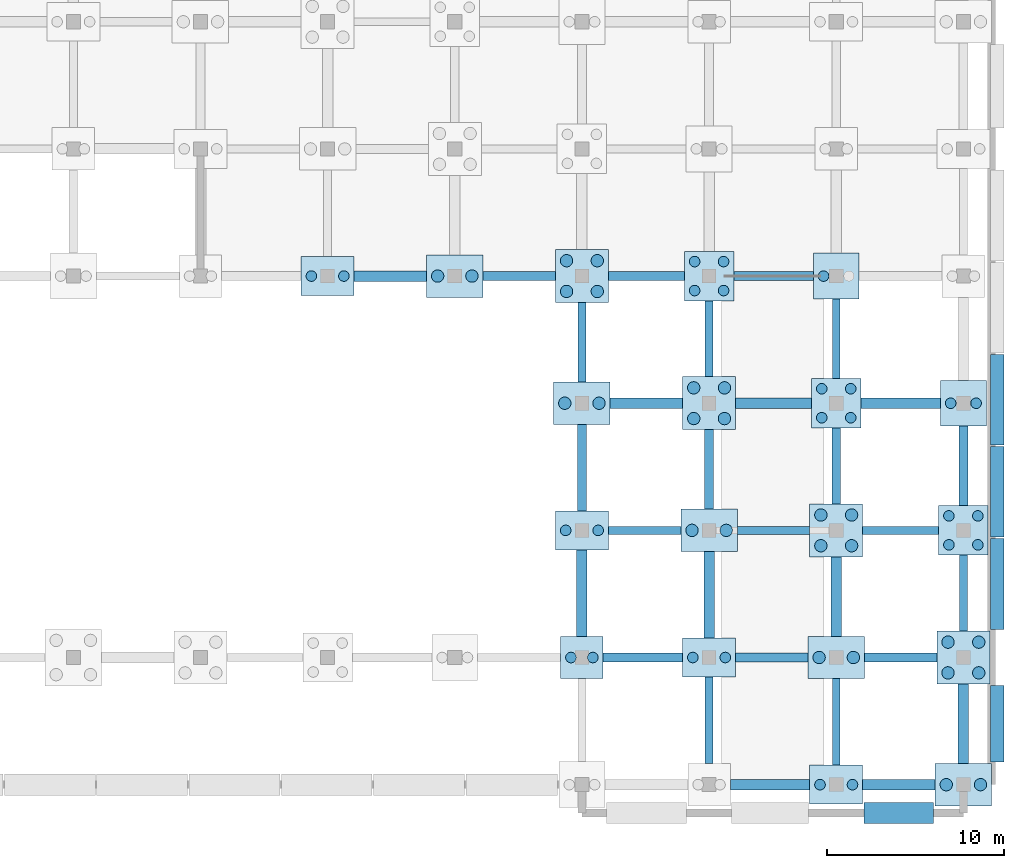
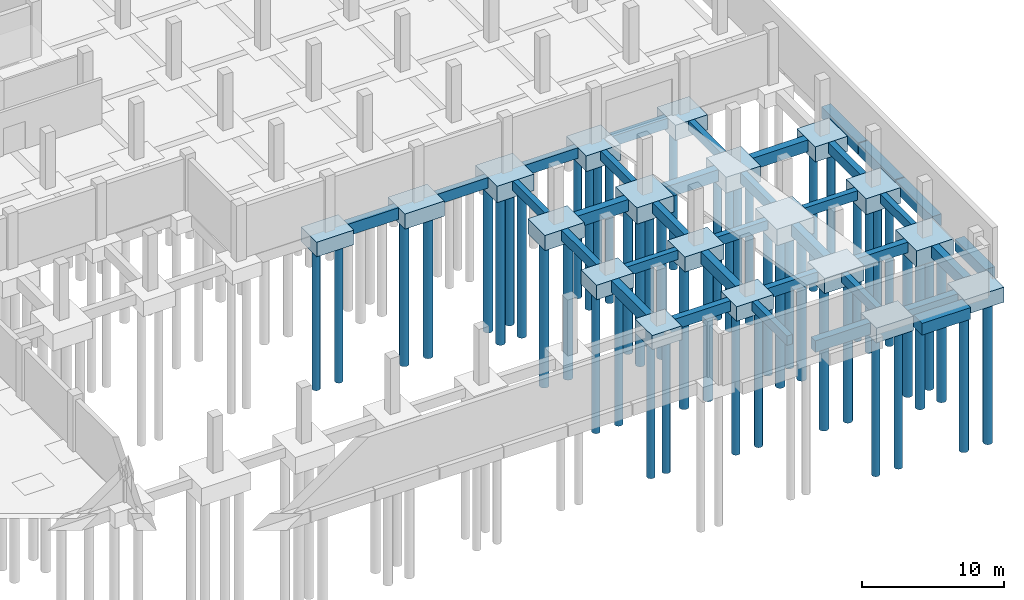
# One storey, part 11 of 38: 53 footings, 51 piles.
"""IFC4 building model written with IfcOpenShell, lengths in metres."""

from ifc_helpers import new_model, si_unit, direction, frame, origin, origin_2d, place, context, subcontext, project, spatial, rectangle, circle, extrude, material, material_profile, profile_set, type_object, element, save


model = new_model("IFC4")

# Units and contexts
model_context = context("Model", 3, precision=1e-05, world=origin(), true_north=direction((0.0, 1.0)))
body_context = subcontext(model_context, "Body", "Model", "MODEL_VIEW")
ifc_project = project(units=[si_unit("LENGTHUNIT", "METRE"), si_unit("AREAUNIT", "SQUARE_METRE"), si_unit("VOLUMEUNIT", "CUBIC_METRE"), si_unit("PLANEANGLEUNIT", "RADIAN"), si_unit("MASSUNIT", "GRAM", prefix="KILO")], contexts=[model_context])

# Site, building, storey
site_placement = place(None, origin())
site = spatial("IfcSite", under=ifc_project, at=site_placement, CompositionType="ELEMENT")
building_placement = place(site_placement, origin())
building = spatial("IfcBuilding", under=site, at=building_placement, Name="Valkovuoma Quantum and Materials Research Institute", CompositionType="ELEMENT")
storey_placement = place(building_placement, frame((0.0, 0.0, -4.800048828125)))
storey = spatial("IfcBuildingStorey", under=building, at=storey_placement, Name="B1", CompositionType="ELEMENT", Elevation=-4.800048828125)

# Footings
ifc_material_1 = material(Name="Concrete C35/45", Category="concrete")
footing_type_1 = type_object("IfcFootingType", Name="Cap-PC-03", PredefinedType="PILE_CAP", material=ifc_material_1)
footing_1_placement = place(storey_placement, frame((144.0, 7.199951171875, -1.19970703125), z_axis=(0.0, 0.0, 1.0), x_axis=(1.0, 0.0, 0.0)))
element("IfcFooting", 1, at=footing_1_placement, inside=storey, type_object=footing_type_1, Name="B1 pile cap 21B", PredefinedType="PILE_CAP", context=body_context, shape_type="SweptSolid", body=[
    extrude(rectangle(XDim=2.39990234375, YDim=2.39990234375, at=origin_2d()), origin(), (0.0, 0.0, 1.0), 1.199951171875),
])
ifc_material_2 = material(Name="Concrete C35/45", Category="concrete")
footing_type_2 = type_object("IfcFootingType", Name="Cap-PC-04", PredefinedType="PILE_CAP", material=ifc_material_2)
for number, where, z_axis, x_axis, name in (
    (2, (158.39990234375, 28.800048828125, -1.2998046875), (0.0, 0.0, 1.0), (1.0, 0.0, 0.0), "B1 pile cap 23E"),
    (3, (165.60009765625, 21.60009765625, -1.2998046875), (0.0, 0.0, 1.0), (1.0, 0.0, 0.0), "B1 pile cap 24D"),
):
    element("IfcFooting", number, at=place(storey_placement, frame(where, z_axis=z_axis, x_axis=x_axis)), inside=storey, type_object=footing_type_2, Name=name, PredefinedType="PILE_CAP", context=body_context, shape_type="SweptSolid", body=[
        extrude(rectangle(XDim=2.60009765625, YDim=2.60009765625, at=origin_2d()), origin(), (0.0, 0.0, 1.0), 1.300048828125),
    ])
ifc_material_3 = material(Name="Concrete C35/45", Category="concrete")
footing_type_3 = type_object("IfcFootingType", Name="Cap-PC-05", PredefinedType="PILE_CAP", material=ifc_material_3)
for number, where, z_axis, x_axis, name in (
    (4, (151.199951171875, 28.800048828125, -1.35009765625), (0.0, 0.0, 1.0), (1.0, 0.0, 0.0), "B1 pile cap 22E"),
    (5, (158.39990234375, 21.60009765625, -1.35009765625), (0.0, 0.0, 1.0), (1.0, 0.0, 0.0), "B1 pile cap 23D"),
    (6, (165.60009765625, 14.39990234375, -1.35009765625), (0.0, 0.0, 1.0), (1.0, 0.0, 0.0), "B1 pile cap 24C"),
):
    element("IfcFooting", number, at=place(storey_placement, frame(where, z_axis=z_axis, x_axis=x_axis)), inside=storey, type_object=footing_type_3, Name=name, PredefinedType="PILE_CAP", context=body_context, shape_type="SweptSolid", body=[
        extrude(rectangle(XDim=2.800048828125, YDim=2.800048828125, at=origin_2d()), origin(), (0.0, 0.0, 1.0), 1.35009765625),
    ])
ifc_material_4 = material(Name="Concrete C35/45", Category="concrete")
footing_type_4 = type_object("IfcFootingType", Name="Cap-PC-06", PredefinedType="PILE_CAP", material=ifc_material_4)
for number, where, z_axis, x_axis, name in (
    (7, (144.0, 28.800048828125, -1.39990234375), (0.0, 0.0, 1.0), (1.0, 0.0, 0.0), "B1 pile cap 21E"),
    (8, (151.199951171875, 21.60009765625, -1.39990234375), (0.0, 0.0, 1.0), (1.0, 0.0, 0.0), "B1 pile cap 22D"),
    (9, (158.39990234375, 14.39990234375, -1.39990234375), (0.0, 0.0, 1.0), (1.0, 0.0, 0.0), "B1 pile cap 23C"),
    (10, (165.60009765625, 7.199951171875, -1.39990234375), (0.0, 0.0, 1.0), (1.0, 0.0, 0.0), "B1 pile cap 24B"),
):
    element("IfcFooting", number, at=place(storey_placement, frame(where, z_axis=z_axis, x_axis=x_axis)), inside=storey, type_object=footing_type_4, Name=name, PredefinedType="PILE_CAP", context=body_context, shape_type="SweptSolid", body=[
        extrude(rectangle(XDim=3.0, YDim=3.0, at=origin_2d()), origin(), (0.0, 0.0, 1.0), 1.39990234375),
    ])
ifc_material_5 = material(Name="Concrete C35/45", Category="concrete")
footing_type_5 = type_object("IfcFootingType", Name="Cap-PC-11", PredefinedType="PILE_CAP", material=ifc_material_5)
for number, where, z_axis, x_axis, name in (
    (11, (129.60009765625, 28.800048828125, -1.25), (0.0, 0.0, 1.0), (1.0, 0.0, 0.0), "B1 pile cap 19E"),
    (12, (144.0, 14.39990234375, -1.25), (0.0, 0.0, 1.0), (1.0, 0.0, 0.0), "B1 pile cap 21C"),
    (13, (151.199951171875, 7.199951171875, -1.25), (0.0, 0.0, 1.0), (1.0, 0.0, 0.0), "B1 pile cap 22B"),
    (14, (158.39990234375, 0.0, -1.25), (0.0, 0.0, 1.0), (1.0, 0.0, 0.0), "B1 pile cap 23A"),
):
    element("IfcFooting", number, at=place(storey_placement, frame(where, z_axis=z_axis, x_axis=x_axis)), inside=storey, type_object=footing_type_5, Name=name, PredefinedType="PILE_CAP", context=body_context, shape_type="SweptSolid", body=[
        extrude(rectangle(XDim=3.0, YDim=2.199951171875, at=origin_2d()), origin(), (0.0, 0.0, 1.0), 1.25),
    ])
ifc_material_6 = material(Name="Concrete C35/45", Category="concrete")
footing_type_6 = type_object("IfcFootingType", Name="Cap-PC-12", PredefinedType="PILE_CAP", material=ifc_material_6)
for number, where, z_axis, x_axis, name in (
    (15, (136.800048828125, 28.800048828125, -1.2998046875), (0.0, 0.0, 1.0), (1.0, 0.0, 0.0), "B1 pile cap 20E"),
    (16, (144.0, 21.60009765625, -1.2998046875), (0.0, 0.0, 1.0), (1.0, 0.0, 0.0), "B1 pile cap 21D"),
    (17, (151.199951171875, 14.39990234375, -1.2998046875), (0.0, 0.0, 1.0), (1.0, 0.0, 0.0), "B1 pile cap 22C"),
    (18, (158.39990234375, 7.199951171875, -1.2998046875), (0.0, 0.0, 1.0), (1.0, 0.0, 0.0), "B1 pile cap 23B"),
    (19, (165.60009765625, 0.0, -1.2998046875), (0.0, 0.0, 1.0), (1.0, 0.0, 0.0), "B1 pile cap 24A"),
):
    element("IfcFooting", number, at=place(storey_placement, frame(where, z_axis=z_axis, x_axis=x_axis)), inside=storey, type_object=footing_type_6, Name=name, PredefinedType="PILE_CAP", context=body_context, shape_type="SweptSolid", body=[
        extrude(rectangle(XDim=3.199951171875, YDim=2.39990234375, at=origin_2d()), origin(), (0.0, 0.0, 1.0), 1.300048828125),
    ])
ifc_material_7 = material(Name="Concrete C35/45", Category="concrete")
footing_type_7 = type_object("IfcFootingType", Name="GndBeam-FB-01", PredefinedType="FOOTING_BEAM", material=ifc_material_7)
footing_2_placement = place(storey_placement, frame((147.550048828125, 14.39990234375, -0.7998046875), z_axis=(0.0, 0.0, 1.0), x_axis=(1.0, 0.0, 0.0)))
element("IfcFooting", 20, at=footing_2_placement, inside=storey, type_object=footing_type_7, Name="B1 ground tie beam X-336", PredefinedType="FOOTING_BEAM", context=body_context, shape_type="SweptSolid", body=[
    extrude(rectangle(XDim=4.10009765625, YDim=0.449951171875, at=origin_2d()), origin(), (0.0, 0.0, 1.0), 0.800048828125),
])
footing_3_placement = place(storey_placement, frame((144.0, 25.050048828125, -0.7998046875), z_axis=(0.0, 0.0, 1.0), x_axis=(0.0, 1.0, 0.0)))
element("IfcFooting", 21, at=footing_3_placement, inside=storey, type_object=footing_type_7, Name="B1 ground tie beam Y-339", PredefinedType="FOOTING_BEAM", context=body_context, shape_type="SweptSolid", body=[
    extrude(rectangle(XDim=4.5, YDim=0.449951171875, at=origin_2d()), origin(), (0.0, 0.0, 1.0), 0.800048828125),
])
footing_4_placement = place(storey_placement, frame((151.199951171875, 3.64990234375, -0.7998046875), z_axis=(0.0, 0.0, 1.0), x_axis=(0.0, 1.0, 0.0)))
element("IfcFooting", 22, at=footing_4_placement, inside=storey, type_object=footing_type_7, Name="B1 ground tie beam Y-366", PredefinedType="FOOTING_BEAM", context=body_context, shape_type="SweptSolid", body=[
    extrude(rectangle(XDim=4.89990234375, YDim=0.449951171875, at=origin_2d()), origin(), (0.0, 0.0, 1.0), 0.800048828125),
])
footing_5_placement = place(storey_placement, frame((154.85009765625, 14.39990234375, -0.7998046875), z_axis=(0.0, 0.0, 1.0), x_axis=(1.0, 0.0, 0.0)))
element("IfcFooting", 23, at=footing_5_placement, inside=storey, type_object=footing_type_7, Name="B1 ground tie beam X-369", PredefinedType="FOOTING_BEAM", context=body_context, shape_type="SweptSolid", body=[
    extrude(rectangle(XDim=4.10009765625, YDim=0.449951171875, at=origin_2d()), origin(), (0.0, 0.0, 1.0), 0.800048828125),
])
footing_6_placement = place(storey_placement, frame((151.199951171875, 25.25, -0.7998046875), z_axis=(0.0, 0.0, 1.0), x_axis=(0.0, 1.0, 0.0)))
element("IfcFooting", 24, at=footing_6_placement, inside=storey, type_object=footing_type_7, Name="B1 ground tie beam Y-372", PredefinedType="FOOTING_BEAM", context=body_context, shape_type="SweptSolid", body=[
    extrude(rectangle(XDim=4.300048828125, YDim=0.449951171875, at=origin_2d()), origin(), (0.0, 0.0, 1.0), 0.800048828125),
])
footing_7_placement = place(storey_placement, frame((158.39990234375, 3.550048828125, -0.7998046875), z_axis=(0.0, 0.0, 1.0), x_axis=(0.0, 1.0, 0.0)))
element("IfcFooting", 25, at=footing_7_placement, inside=storey, type_object=footing_type_7, Name="B1 ground tie beam Y-399", PredefinedType="FOOTING_BEAM", context=body_context, shape_type="SweptSolid", body=[
    extrude(rectangle(XDim=4.89990234375, YDim=0.449951171875, at=origin_2d()), origin(), (0.0, 0.0, 1.0), 0.800048828125),
])
footing_8_placement = place(storey_placement, frame((162.050048828125, 14.39990234375, -0.7998046875), z_axis=(0.0, 0.0, 1.0), x_axis=(1.0, 0.0, 0.0)))
element("IfcFooting", 26, at=footing_8_placement, inside=storey, type_object=footing_type_7, Name="B1 ground tie beam X-402", PredefinedType="FOOTING_BEAM", context=body_context, shape_type="SweptSolid", body=[
    extrude(rectangle(XDim=4.300048828125, YDim=0.449951171875, at=origin_2d()), origin(), (0.0, 0.0, 1.0), 0.800048828125),
])
footing_9_placement = place(storey_placement, frame((158.39990234375, 25.25, -0.7998046875), z_axis=(0.0, 0.0, 1.0), x_axis=(0.0, 1.0, 0.0)))
element("IfcFooting", 27, at=footing_9_placement, inside=storey, type_object=footing_type_7, Name="B1 ground tie beam Y-405", PredefinedType="FOOTING_BEAM", context=body_context, shape_type="SweptSolid", body=[
    extrude(rectangle(XDim=4.5, YDim=0.449951171875, at=origin_2d()), origin(), (0.0, 0.0, 1.0), 0.800048828125),
])
footing_10_placement = place(storey_placement, frame((165.60009765625, 10.85009765625, -0.7998046875), z_axis=(0.0, 0.0, 1.0), x_axis=(0.0, 1.0, 0.0)))
element("IfcFooting", 28, at=footing_10_placement, inside=storey, type_object=footing_type_7, Name="B1 ground tie beam Y-432", PredefinedType="FOOTING_BEAM", context=body_context, shape_type="SweptSolid", body=[
    extrude(rectangle(XDim=4.300048828125, YDim=0.449951171875, at=origin_2d()), origin(), (0.0, 0.0, 1.0), 0.800048828125),
])
ifc_material_8 = material(Name="Concrete C35/45", Category="concrete")
footing_type_8 = type_object("IfcFootingType", Name="GndBeam-FB-02", PredefinedType="FOOTING_BEAM", material=ifc_material_8)
footing_11_placement = place(storey_placement, frame((140.449951171875, 28.800048828125, -0.89990234375), z_axis=(0.0, 0.0, 1.0), x_axis=(1.0, 0.0, 0.0)))
element("IfcFooting", 29, at=footing_11_placement, inside=storey, type_object=footing_type_8, Name="B1 ground tie beam X-307", PredefinedType="FOOTING_BEAM", context=body_context, shape_type="SweptSolid", body=[
    extrude(rectangle(XDim=4.10009765625, YDim=0.5, at=origin_2d()), origin(), (0.0, 0.0, 1.0), 0.89990234375),
])
footing_12_placement = place(storey_placement, frame((147.449951171875, 7.199951171875, -0.89990234375), z_axis=(0.0, 0.0, 1.0), x_axis=(1.0, 0.0, 0.0)))
element("IfcFooting", 30, at=footing_12_placement, inside=storey, type_object=footing_type_8, Name="B1 ground tie beam X-334", PredefinedType="FOOTING_BEAM", context=body_context, shape_type="SweptSolid", body=[
    extrude(rectangle(XDim=4.5, YDim=0.5, at=origin_2d()), origin(), (0.0, 0.0, 1.0), 0.89990234375),
])
footing_13_placement = place(storey_placement, frame((144.0, 17.949951171875, -0.89990234375), z_axis=(0.0, 0.0, 1.0), x_axis=(0.0, 1.0, 0.0)))
element("IfcFooting", 31, at=footing_13_placement, inside=storey, type_object=footing_type_8, Name="B1 ground tie beam Y-337", PredefinedType="FOOTING_BEAM", context=body_context, shape_type="SweptSolid", body=[
    extrude(rectangle(XDim=4.89990234375, YDim=0.5, at=origin_2d()), origin(), (0.0, 0.0, 1.0), 0.89990234375),
])
footing_14_placement = place(storey_placement, frame((147.64990234375, 28.800048828125, -0.89990234375), z_axis=(0.0, 0.0, 1.0), x_axis=(1.0, 0.0, 0.0)))
element("IfcFooting", 32, at=footing_14_placement, inside=storey, type_object=footing_type_8, Name="B1 ground tie beam X-340", PredefinedType="FOOTING_BEAM", context=body_context, shape_type="SweptSolid", body=[
    extrude(rectangle(XDim=4.300048828125, YDim=0.5, at=origin_2d()), origin(), (0.0, 0.0, 1.0), 0.89990234375),
])
footing_15_placement = place(storey_placement, frame((154.75, 7.199951171875, -0.89990234375), z_axis=(0.0, 0.0, 1.0), x_axis=(1.0, 0.0, 0.0)))
element("IfcFooting", 33, at=footing_15_placement, inside=storey, type_object=footing_type_8, Name="B1 ground tie beam X-367", PredefinedType="FOOTING_BEAM", context=body_context, shape_type="SweptSolid", body=[
    extrude(rectangle(XDim=4.10009765625, YDim=0.5, at=origin_2d()), origin(), (0.0, 0.0, 1.0), 0.89990234375),
])
for number, where, z_axis, x_axis, name in (
    (34, (151.199951171875, 17.85009765625, -0.89990234375), (0.0, 0.0, 1.0), (0.0, 1.0, 0.0), "B1 ground tie beam Y-370"),
    (35, (154.85009765625, 28.800048828125, -0.89990234375), (0.0, 0.0, 1.0), (1.0, 0.0, 0.0), "B1 ground tie beam X-373"),
):
    element("IfcFooting", number, at=place(storey_placement, frame(where, z_axis=z_axis, x_axis=x_axis)), inside=storey, type_object=footing_type_8, Name=name, PredefinedType="FOOTING_BEAM", context=body_context, shape_type="SweptSolid", body=[
        extrude(rectangle(XDim=4.5, YDim=0.5, at=origin_2d()), origin(), (0.0, 0.0, 1.0), 0.89990234375),
    ])
footing_16_placement = place(storey_placement, frame((162.050048828125, 7.199951171875, -0.89990234375), z_axis=(0.0, 0.0, 1.0), x_axis=(1.0, 0.0, 0.0)))
element("IfcFooting", 36, at=footing_16_placement, inside=storey, type_object=footing_type_8, Name="B1 ground tie beam X-400", PredefinedType="FOOTING_BEAM", context=body_context, shape_type="SweptSolid", body=[
    extrude(rectangle(XDim=4.10009765625, YDim=0.5, at=origin_2d()), origin(), (0.0, 0.0, 1.0), 0.89990234375),
])
footing_17_placement = place(storey_placement, frame((158.39990234375, 18.050048828125, -0.89990234375), z_axis=(0.0, 0.0, 1.0), x_axis=(0.0, 1.0, 0.0)))
element("IfcFooting", 37, at=footing_17_placement, inside=storey, type_object=footing_type_8, Name="B1 ground tie beam Y-403", PredefinedType="FOOTING_BEAM", context=body_context, shape_type="SweptSolid", body=[
    extrude(rectangle(XDim=4.300048828125, YDim=0.5, at=origin_2d()), origin(), (0.0, 0.0, 1.0), 0.89990234375),
])
footing_18_placement = place(storey_placement, frame((165.60009765625, 18.050048828125, -0.89990234375), z_axis=(0.0, 0.0, 1.0), x_axis=(0.0, 1.0, 0.0)))
element("IfcFooting", 38, at=footing_18_placement, inside=storey, type_object=footing_type_8, Name="B1 ground tie beam Y-433", PredefinedType="FOOTING_BEAM", context=body_context, shape_type="SweptSolid", body=[
    extrude(rectangle(XDim=4.5, YDim=0.5, at=origin_2d()), origin(), (0.0, 0.0, 1.0), 0.89990234375),
])
ifc_material_9 = material(Name="Concrete C35/45", Category="concrete")
footing_type_9 = type_object("IfcFootingType", Name="GndBeam-FB-03", PredefinedType="FOOTING_BEAM", material=ifc_material_9)
footing_19_placement = place(storey_placement, frame((133.14990234375, 28.800048828125, -1.0), z_axis=(0.0, 0.0, 1.0), x_axis=(1.0, 0.0, 0.0)))
element("IfcFooting", 39, at=footing_19_placement, inside=storey, type_object=footing_type_9, Name="B1 ground tie beam X-281", PredefinedType="FOOTING_BEAM", context=body_context, shape_type="SweptSolid", body=[
    extrude(rectangle(XDim=4.10009765625, YDim=0.60009765625, at=origin_2d()), origin(), (0.0, 0.0, 1.0), 1.0),
])
footing_20_placement = place(storey_placement, frame((144.0, 10.85009765625, -1.0), z_axis=(0.0, 0.0, 1.0), x_axis=(0.0, 1.0, 0.0)))
element("IfcFooting", 40, at=footing_20_placement, inside=storey, type_object=footing_type_9, Name="B1 ground tie beam Y-335", PredefinedType="FOOTING_BEAM", context=body_context, shape_type="SweptSolid", body=[
    extrude(rectangle(XDim=4.89990234375, YDim=0.60009765625, at=origin_2d()), origin(), (0.0, 0.0, 1.0), 1.0),
])
footing_21_placement = place(storey_placement, frame((147.64990234375, 21.60009765625, -1.0), z_axis=(0.0, 0.0, 1.0), x_axis=(1.0, 0.0, 0.0)))
element("IfcFooting", 41, at=footing_21_placement, inside=storey, type_object=footing_type_9, Name="B1 ground tie beam X-338", PredefinedType="FOOTING_BEAM", context=body_context, shape_type="SweptSolid", body=[
    extrude(rectangle(XDim=4.10009765625, YDim=0.60009765625, at=origin_2d()), origin(), (0.0, 0.0, 1.0), 1.0),
])
footing_22_placement = place(storey_placement, frame((154.64990234375, 0.0, -1.0), z_axis=(0.0, 0.0, 1.0), x_axis=(1.0, 0.0, 0.0)))
element("IfcFooting", 42, at=footing_22_placement, inside=storey, type_object=footing_type_9, Name="B1 ground tie beam X-365", PredefinedType="FOOTING_BEAM", context=body_context, shape_type="SweptSolid", body=[
    extrude(rectangle(XDim=4.5, YDim=0.60009765625, at=origin_2d()), origin(), (0.0, 0.0, 1.0), 1.0),
])
footing_23_placement = place(storey_placement, frame((151.199951171875, 10.75, -1.0), z_axis=(0.0, 0.0, 1.0), x_axis=(0.0, 1.0, 0.0)))
element("IfcFooting", 43, at=footing_23_placement, inside=storey, type_object=footing_type_9, Name="B1 ground tie beam Y-368", PredefinedType="FOOTING_BEAM", context=body_context, shape_type="SweptSolid", body=[
    extrude(rectangle(XDim=4.89990234375, YDim=0.60009765625, at=origin_2d()), origin(), (0.0, 0.0, 1.0), 1.0),
])
footing_24_placement = place(storey_placement, frame((154.85009765625, 21.60009765625, -1.0), z_axis=(0.0, 0.0, 1.0), x_axis=(1.0, 0.0, 0.0)))
element("IfcFooting", 44, at=footing_24_placement, inside=storey, type_object=footing_type_9, Name="B1 ground tie beam X-371", PredefinedType="FOOTING_BEAM", context=body_context, shape_type="SweptSolid", body=[
    extrude(rectangle(XDim=4.300048828125, YDim=0.60009765625, at=origin_2d()), origin(), (0.0, 0.0, 1.0), 1.0),
])
footing_25_placement = place(storey_placement, frame((161.949951171875, 0.0, -1.0), z_axis=(0.0, 0.0, 1.0), x_axis=(1.0, 0.0, 0.0)))
element("IfcFooting", 45, at=footing_25_placement, inside=storey, type_object=footing_type_9, Name="B1 ground tie beam X-398", PredefinedType="FOOTING_BEAM", context=body_context, shape_type="SweptSolid", body=[
    extrude(rectangle(XDim=4.10009765625, YDim=0.60009765625, at=origin_2d()), origin(), (0.0, 0.0, 1.0), 1.0),
])
for number, where, z_axis, x_axis, name in (
    (46, (158.39990234375, 10.64990234375, -1.0), (0.0, 0.0, 1.0), (0.0, 1.0, 0.0), "B1 ground tie beam Y-401"),
    (47, (162.050048828125, 21.60009765625, -1.0), (0.0, 0.0, 1.0), (1.0, 0.0, 0.0), "B1 ground tie beam X-404"),
    (48, (165.60009765625, 3.449951171875, -1.0), (0.0, 0.0, 1.0), (0.0, 1.0, 0.0), "B1 ground tie beam Y-431"),
):
    element("IfcFooting", number, at=place(storey_placement, frame(where, z_axis=z_axis, x_axis=x_axis)), inside=storey, type_object=footing_type_9, Name=name, PredefinedType="FOOTING_BEAM", context=body_context, shape_type="SweptSolid", body=[
        extrude(rectangle(XDim=4.5, YDim=0.60009765625, at=origin_2d()), origin(), (0.0, 0.0, 1.0), 1.0),
    ])
ifc_material_10 = material(Name="Concrete C35/45", Category="concrete")
footing_type_10 = type_object("IfcFootingType", Name="Pad-PF-04", PredefinedType="PAD_FOOTING", material=ifc_material_10)
footing_26_placement = place(storey_placement, frame((167.52001953125, 3.449951171875, -1.0), z_axis=(0.0, 0.0, 1.0), x_axis=(0.0, 1.0, 0.0)))
element("IfcFooting", 49, at=footing_26_placement, inside=storey, type_object=footing_type_10, Name="B1 retaining wall pad footing 015", PredefinedType="PAD_FOOTING", context=body_context, shape_type="SweptSolid", body=[
    extrude(rectangle(XDim=4.340087890625, YDim=0.760009765625, at=origin_2d()), origin(), (0.0, 0.0, 1.0), 1.0),
])
footing_27_placement = place(storey_placement, frame((167.52001953125, 11.364013671875, -1.0), z_axis=(0.0, 0.0, 1.0), x_axis=(0.0, 1.0, 0.0)))
element("IfcFooting", 50, at=footing_27_placement, inside=storey, type_object=footing_type_10, Name="B1 retaining wall pad footing 016", PredefinedType="PAD_FOOTING", context=body_context, shape_type="SweptSolid", body=[
    extrude(rectangle(XDim=5.16796875, YDim=0.760009765625, at=origin_2d()), origin(), (0.0, 0.0, 1.0), 1.0),
])
for number, where, z_axis, x_axis, name in (
    (51, (167.52001953125, 16.592041015625, -1.0), (0.0, 0.0, 1.0), (0.0, 1.0, 0.0), "B1 retaining wall pad footing 017"),
    (52, (167.52001953125, 21.800048828125, -1.0), (0.0, 0.0, 1.0), (0.0, 1.0, 0.0), "B1 retaining wall pad footing 018"),
):
    element("IfcFooting", number, at=place(storey_placement, frame(where, z_axis=z_axis, x_axis=x_axis)), inside=storey, type_object=footing_type_10, Name=name, PredefinedType="PAD_FOOTING", context=body_context, shape_type="SweptSolid", body=[
        extrude(rectangle(XDim=5.1279296875, YDim=0.760009765625, at=origin_2d()), origin(), (0.0, 0.0, 1.0), 1.0),
    ])
footing_28_placement = place(storey_placement, frame((161.949951171875, -1.60009765625, -1.0), z_axis=(0.0, 0.0, 1.0), x_axis=(1.0, 0.0, 0.0)))
element("IfcFooting", 53, at=footing_28_placement, inside=storey, type_object=footing_type_10, Name="B1 retaining wall pad footing 036", PredefinedType="PAD_FOOTING", context=body_context, shape_type="SweptSolid", body=[
    extrude(rectangle(XDim=3.93994140625, YDim=1.199951171875, at=origin_2d()), origin(), (0.0, 0.0, 1.0), 1.0),
])

# Piles
ifc_material_11 = material(Name="Concrete C40/50", Category="concrete")
ifc_material_profile_1 = material_profile(ifc_material_11, circle(Radius=0.300048828125, at=origin_2d()), Name="Concrete C40/50")
ifc_profile_set_1 = profile_set([ifc_material_profile_1], Name="Concrete C40/50")
pile_type_1 = type_object("IfcPileType", Name="Pile-PL-B600", PredefinedType="BORED", material=ifc_profile_set_1)
for number, where, z_axis, x_axis, name in (
    (54, (128.679931640625, 28.800048828125, -1.14990234375), (0.0, 0.0, -1.0), (1.0, 0.0, 0.0), "B1 pile 19E-1"),
    (55, (130.52001953125, 28.800048828125, -1.14990234375), (0.0, 0.0, -1.0), (1.0, 0.0, 0.0), "B1 pile 19E-2"),
):
    element("IfcPile", number, at=place(storey_placement, frame(where, z_axis=z_axis, x_axis=x_axis)), inside=storey, type_object=pile_type_1, Name=name, PredefinedType="BORED", context=body_context, shape_type="SweptSolid", body=[
        extrude(circle(Radius=0.300048828125, at=origin_2d()), origin(), (0.0, 0.0, 1.0), 12.25),
    ])
for number, where, z_axis, x_axis, name in (
    (56, (143.3798828125, 7.199951171875, -1.099853515625), (0.0, 0.0, -1.0), (1.0, 0.0, 0.0), "B1 pile 21B-1"),
    (57, (144.6201171875, 7.199951171875, -1.099853515625), (0.0, 0.0, -1.0), (1.0, 0.0, 0.0), "B1 pile 21B-2"),
):
    element("IfcPile", number, at=place(storey_placement, frame(where, z_axis=z_axis, x_axis=x_axis)), inside=storey, type_object=pile_type_1, Name=name, PredefinedType="BORED", context=body_context, shape_type="SweptSolid", body=[
        extrude(circle(Radius=0.300048828125, at=origin_2d()), origin(), (0.0, 0.0, 1.0), 11.89990234375),
    ])
for number, where, z_axis, x_axis, name in (
    (58, (143.080078125, 14.39990234375, -1.14990234375), (0.0, 0.0, -1.0), (1.0, 0.0, 0.0), "B1 pile 21C-1"),
    (59, (144.919921875, 14.39990234375, -1.14990234375), (0.0, 0.0, -1.0), (1.0, 0.0, 0.0), "B1 pile 21C-2"),
    (60, (150.280029296875, 7.199951171875, -1.14990234375), (0.0, 0.0, -1.0), (1.0, 0.0, 0.0), "B1 pile 22B-1"),
    (61, (152.1201171875, 7.199951171875, -1.14990234375), (0.0, 0.0, -1.0), (1.0, 0.0, 0.0), "B1 pile 22B-2"),
):
    element("IfcPile", number, at=place(storey_placement, frame(where, z_axis=z_axis, x_axis=x_axis)), inside=storey, type_object=pile_type_1, Name=name, PredefinedType="BORED", context=body_context, shape_type="SweptSolid", body=[
        extrude(circle(Radius=0.300048828125, at=origin_2d()), origin(), (0.0, 0.0, 1.0), 12.25),
    ])
for number, where, z_axis, x_axis, name in (
    (62, (150.3798828125, 27.97998046875, -1.25), (0.0, 0.0, -1.0), (1.0, 0.0, 0.0), "B1 pile 22E-1"),
    (63, (152.02001953125, 27.97998046875, -1.25), (0.0, 0.0, -1.0), (1.0, 0.0, 0.0), "B1 pile 22E-2"),
    (64, (150.3798828125, 29.6201171875, -1.25), (0.0, 0.0, -1.0), (1.0, 0.0, 0.0), "B1 pile 22E-3"),
    (65, (152.02001953125, 29.6201171875, -1.25), (0.0, 0.0, -1.0), (1.0, 0.0, 0.0), "B1 pile 22E-4"),
):
    element("IfcPile", number, at=place(storey_placement, frame(where, z_axis=z_axis, x_axis=x_axis)), inside=storey, type_object=pile_type_1, Name=name, PredefinedType="BORED", context=body_context, shape_type="SweptSolid", body=[
        extrude(circle(Radius=0.300048828125, at=origin_2d()), origin(), (0.0, 0.0, 1.0), 12.35009765625),
    ])
for number, where, z_axis, x_axis, name in (
    (66, (157.47998046875, 0.0, -1.14990234375), (0.0, 0.0, -1.0), (1.0, 0.0, 0.0), "B1 pile 23A-1"),
    (67, (159.320068359375, 0.0, -1.14990234375), (0.0, 0.0, -1.0), (1.0, 0.0, 0.0), "B1 pile 23A-2"),
):
    element("IfcPile", number, at=place(storey_placement, frame(where, z_axis=z_axis, x_axis=x_axis)), inside=storey, type_object=pile_type_1, Name=name, PredefinedType="BORED", context=body_context, shape_type="SweptSolid", body=[
        extrude(circle(Radius=0.300048828125, at=origin_2d()), origin(), (0.0, 0.0, 1.0), 12.25),
    ])
for number, where, z_axis, x_axis, name in (
    (68, (157.580078125, 20.780029296875, -1.25), (0.0, 0.0, -1.0), (1.0, 0.0, 0.0), "B1 pile 23D-1"),
    (69, (159.219970703125, 20.780029296875, -1.25), (0.0, 0.0, -1.0), (1.0, 0.0, 0.0), "B1 pile 23D-2"),
    (70, (157.580078125, 22.419921875, -1.25), (0.0, 0.0, -1.0), (1.0, 0.0, 0.0), "B1 pile 23D-3"),
    (71, (159.219970703125, 22.419921875, -1.25), (0.0, 0.0, -1.0), (1.0, 0.0, 0.0), "B1 pile 23D-4"),
):
    element("IfcPile", number, at=place(storey_placement, frame(where, z_axis=z_axis, x_axis=x_axis)), inside=storey, type_object=pile_type_1, Name=name, PredefinedType="BORED", context=body_context, shape_type="SweptSolid", body=[
        extrude(circle(Radius=0.300048828125, at=origin_2d()), origin(), (0.0, 0.0, 1.0), 12.35009765625),
    ])
pile_placement = place(storey_placement, frame((157.679931640625, 28.800048828125, -1.199951171875), z_axis=(0.0, 0.0, -1.0), x_axis=(1.0, 0.0, 0.0)))
element("IfcPile", 72, at=pile_placement, inside=storey, type_object=pile_type_1, Name="B1 pile 23E-1", PredefinedType="BORED", context=body_context, shape_type="SweptSolid", body=[
    extrude(circle(Radius=0.300048828125, at=origin_2d()), origin(), (0.0, 0.0, 1.0), 12.0),
])
for number, where, z_axis, x_axis, name in (
    (73, (164.780029296875, 13.580078125, -1.25), (0.0, 0.0, -1.0), (1.0, 0.0, 0.0), "B1 pile 24C-1"),
    (74, (166.419921875, 13.580078125, -1.25), (0.0, 0.0, -1.0), (1.0, 0.0, 0.0), "B1 pile 24C-2"),
    (75, (164.780029296875, 15.219970703125, -1.25), (0.0, 0.0, -1.0), (1.0, 0.0, 0.0), "B1 pile 24C-3"),
    (76, (166.419921875, 15.219970703125, -1.25), (0.0, 0.0, -1.0), (1.0, 0.0, 0.0), "B1 pile 24C-4"),
):
    element("IfcPile", number, at=place(storey_placement, frame(where, z_axis=z_axis, x_axis=x_axis)), inside=storey, type_object=pile_type_1, Name=name, PredefinedType="BORED", context=body_context, shape_type="SweptSolid", body=[
        extrude(circle(Radius=0.300048828125, at=origin_2d()), origin(), (0.0, 0.0, 1.0), 12.35009765625),
    ])
for number, where, z_axis, x_axis, name in (
    (77, (164.8798828125, 21.60009765625, -1.199951171875), (0.0, 0.0, -1.0), (1.0, 0.0, 0.0), "B1 pile 24D-1"),
    (78, (166.320068359375, 21.60009765625, -1.199951171875), (0.0, 0.0, -1.0), (1.0, 0.0, 0.0), "B1 pile 24D-2"),
):
    element("IfcPile", number, at=place(storey_placement, frame(where, z_axis=z_axis, x_axis=x_axis)), inside=storey, type_object=pile_type_1, Name=name, PredefinedType="BORED", context=body_context, shape_type="SweptSolid", body=[
        extrude(circle(Radius=0.300048828125, at=origin_2d()), origin(), (0.0, 0.0, 1.0), 12.0),
    ])
ifc_material_12 = material(Name="Concrete C40/50", Category="concrete")
ifc_material_profile_2 = material_profile(ifc_material_12, circle(Radius=0.35009765625, at=origin_2d()), Name="Concrete C40/50")
ifc_profile_set_2 = profile_set([ifc_material_profile_2], Name="Concrete C40/50")
pile_type_2 = type_object("IfcPileType", Name="Pile-PL-B700", PredefinedType="BORED", material=ifc_profile_set_2)
for number, where, z_axis, x_axis, name in (
    (79, (135.830078125, 28.800048828125, -1.199951171875), (0.0, 0.0, -1.0), (1.0, 0.0, 0.0), "B1 pile 20E-1"),
    (80, (137.77001953125, 28.800048828125, -1.199951171875), (0.0, 0.0, -1.0), (1.0, 0.0, 0.0), "B1 pile 20E-2"),
    (81, (143.030029296875, 21.60009765625, -1.199951171875), (0.0, 0.0, -1.0), (1.0, 0.0, 0.0), "B1 pile 21D-1"),
    (82, (144.969970703125, 21.60009765625, -1.199951171875), (0.0, 0.0, -1.0), (1.0, 0.0, 0.0), "B1 pile 21D-2"),
):
    element("IfcPile", number, at=place(storey_placement, frame(where, z_axis=z_axis, x_axis=x_axis)), inside=storey, type_object=pile_type_2, Name=name, PredefinedType="BORED", context=body_context, shape_type="SweptSolid", body=[
        extrude(circle(Radius=0.35009765625, at=origin_2d()), origin(), (0.0, 0.0, 1.0), 12.60009765625),
    ])
for number, where, z_axis, x_axis, name in (
    (83, (143.1298828125, 27.929931640625, -1.300048828125), (0.0, 0.0, -1.0), (1.0, 0.0, 0.0), "B1 pile 21E-1"),
    (84, (144.8701171875, 27.929931640625, -1.300048828125), (0.0, 0.0, -1.0), (1.0, 0.0, 0.0), "B1 pile 21E-2"),
    (85, (143.1298828125, 29.669921875, -1.300048828125), (0.0, 0.0, -1.0), (1.0, 0.0, 0.0), "B1 pile 21E-3"),
    (86, (144.8701171875, 29.669921875, -1.300048828125), (0.0, 0.0, -1.0), (1.0, 0.0, 0.0), "B1 pile 21E-4"),
):
    element("IfcPile", number, at=place(storey_placement, frame(where, z_axis=z_axis, x_axis=x_axis)), inside=storey, type_object=pile_type_2, Name=name, PredefinedType="BORED", context=body_context, shape_type="SweptSolid", body=[
        extrude(circle(Radius=0.35009765625, at=origin_2d()), origin(), (0.0, 0.0, 1.0), 12.699951171875),
    ])
for number, where, z_axis, x_axis, name in (
    (87, (150.22998046875, 14.39990234375, -1.199951171875), (0.0, 0.0, -1.0), (1.0, 0.0, 0.0), "B1 pile 22C-1"),
    (88, (152.169921875, 14.39990234375, -1.199951171875), (0.0, 0.0, -1.0), (1.0, 0.0, 0.0), "B1 pile 22C-2"),
):
    element("IfcPile", number, at=place(storey_placement, frame(where, z_axis=z_axis, x_axis=x_axis)), inside=storey, type_object=pile_type_2, Name=name, PredefinedType="BORED", context=body_context, shape_type="SweptSolid", body=[
        extrude(circle(Radius=0.35009765625, at=origin_2d()), origin(), (0.0, 0.0, 1.0), 12.60009765625),
    ])
for number, where, z_axis, x_axis, name in (
    (89, (150.330078125, 20.72998046875, -1.300048828125), (0.0, 0.0, -1.0), (1.0, 0.0, 0.0), "B1 pile 22D-1"),
    (90, (152.070068359375, 20.72998046875, -1.300048828125), (0.0, 0.0, -1.0), (1.0, 0.0, 0.0), "B1 pile 22D-2"),
    (91, (150.330078125, 22.469970703125, -1.300048828125), (0.0, 0.0, -1.0), (1.0, 0.0, 0.0), "B1 pile 22D-3"),
    (92, (152.070068359375, 22.469970703125, -1.300048828125), (0.0, 0.0, -1.0), (1.0, 0.0, 0.0), "B1 pile 22D-4"),
):
    element("IfcPile", number, at=place(storey_placement, frame(where, z_axis=z_axis, x_axis=x_axis)), inside=storey, type_object=pile_type_2, Name=name, PredefinedType="BORED", context=body_context, shape_type="SweptSolid", body=[
        extrude(circle(Radius=0.35009765625, at=origin_2d()), origin(), (0.0, 0.0, 1.0), 12.699951171875),
    ])
for number, where, z_axis, x_axis, name in (
    (93, (157.429931640625, 7.199951171875, -1.199951171875), (0.0, 0.0, -1.0), (1.0, 0.0, 0.0), "B1 pile 23B-1"),
    (94, (159.3701171875, 7.199951171875, -1.199951171875), (0.0, 0.0, -1.0), (1.0, 0.0, 0.0), "B1 pile 23B-2"),
):
    element("IfcPile", number, at=place(storey_placement, frame(where, z_axis=z_axis, x_axis=x_axis)), inside=storey, type_object=pile_type_2, Name=name, PredefinedType="BORED", context=body_context, shape_type="SweptSolid", body=[
        extrude(circle(Radius=0.35009765625, at=origin_2d()), origin(), (0.0, 0.0, 1.0), 12.60009765625),
    ])
for number, where, z_axis, x_axis, name in (
    (95, (157.530029296875, 13.530029296875, -1.300048828125), (0.0, 0.0, -1.0), (1.0, 0.0, 0.0), "B1 pile 23C-1"),
    (96, (159.27001953125, 13.530029296875, -1.300048828125), (0.0, 0.0, -1.0), (1.0, 0.0, 0.0), "B1 pile 23C-2"),
    (97, (157.530029296875, 15.27001953125, -1.300048828125), (0.0, 0.0, -1.0), (1.0, 0.0, 0.0), "B1 pile 23C-3"),
    (98, (159.27001953125, 15.27001953125, -1.300048828125), (0.0, 0.0, -1.0), (1.0, 0.0, 0.0), "B1 pile 23C-4"),
):
    element("IfcPile", number, at=place(storey_placement, frame(where, z_axis=z_axis, x_axis=x_axis)), inside=storey, type_object=pile_type_2, Name=name, PredefinedType="BORED", context=body_context, shape_type="SweptSolid", body=[
        extrude(circle(Radius=0.35009765625, at=origin_2d()), origin(), (0.0, 0.0, 1.0), 12.699951171875),
    ])
for number, where, z_axis, x_axis, name in (
    (99, (164.6298828125, 0.0, -1.199951171875), (0.0, 0.0, -1.0), (1.0, 0.0, 0.0), "B1 pile 24A-1"),
    (100, (166.570068359375, 0.0, -1.199951171875), (0.0, 0.0, -1.0), (1.0, 0.0, 0.0), "B1 pile 24A-2"),
):
    element("IfcPile", number, at=place(storey_placement, frame(where, z_axis=z_axis, x_axis=x_axis)), inside=storey, type_object=pile_type_2, Name=name, PredefinedType="BORED", context=body_context, shape_type="SweptSolid", body=[
        extrude(circle(Radius=0.35009765625, at=origin_2d()), origin(), (0.0, 0.0, 1.0), 12.60009765625),
    ])
for number, where, z_axis, x_axis, name in (
    (101, (164.72998046875, 6.330078125, -1.300048828125), (0.0, 0.0, -1.0), (1.0, 0.0, 0.0), "B1 pile 24B-1"),
    (102, (166.469970703125, 6.330078125, -1.300048828125), (0.0, 0.0, -1.0), (1.0, 0.0, 0.0), "B1 pile 24B-2"),
    (103, (164.72998046875, 8.070068359375, -1.300048828125), (0.0, 0.0, -1.0), (1.0, 0.0, 0.0), "B1 pile 24B-3"),
    (104, (166.469970703125, 8.070068359375, -1.300048828125), (0.0, 0.0, -1.0), (1.0, 0.0, 0.0), "B1 pile 24B-4"),
):
    element("IfcPile", number, at=place(storey_placement, frame(where, z_axis=z_axis, x_axis=x_axis)), inside=storey, type_object=pile_type_2, Name=name, PredefinedType="BORED", context=body_context, shape_type="SweptSolid", body=[
        extrude(circle(Radius=0.35009765625, at=origin_2d()), origin(), (0.0, 0.0, 1.0), 12.699951171875),
    ])

save(model, "model.ifc")
